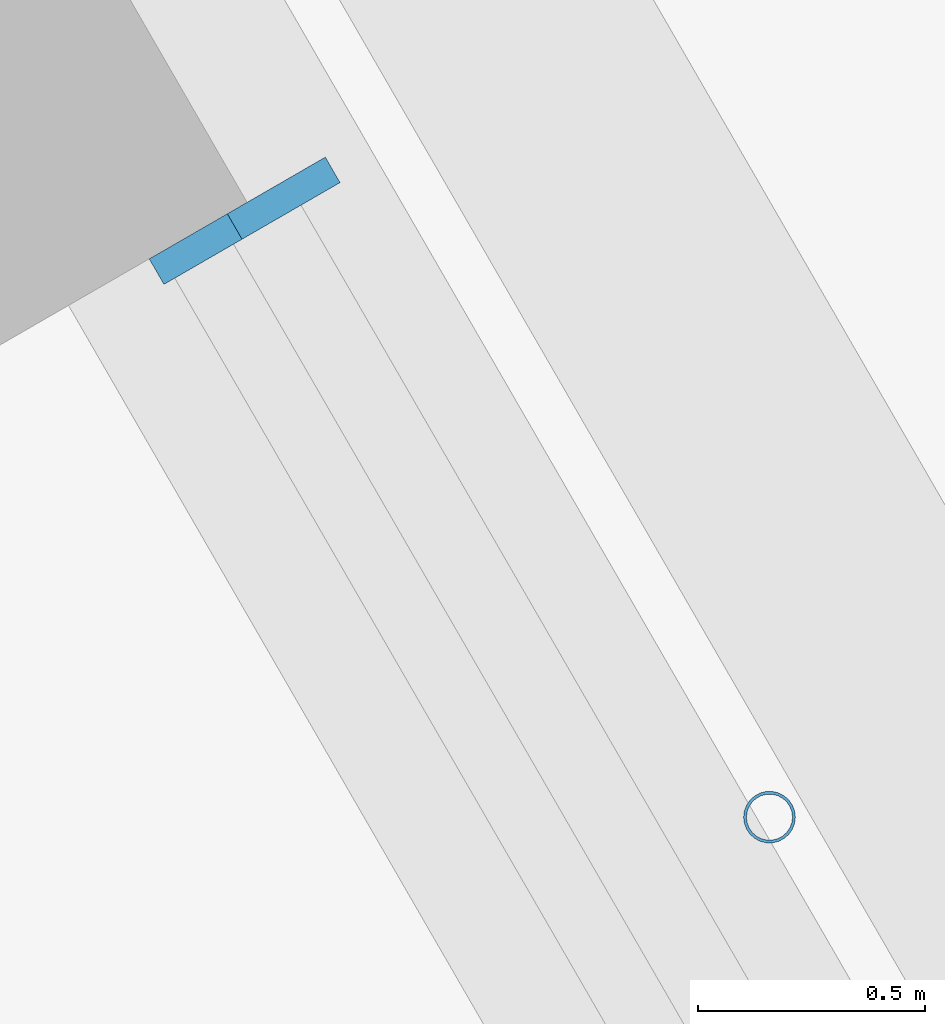
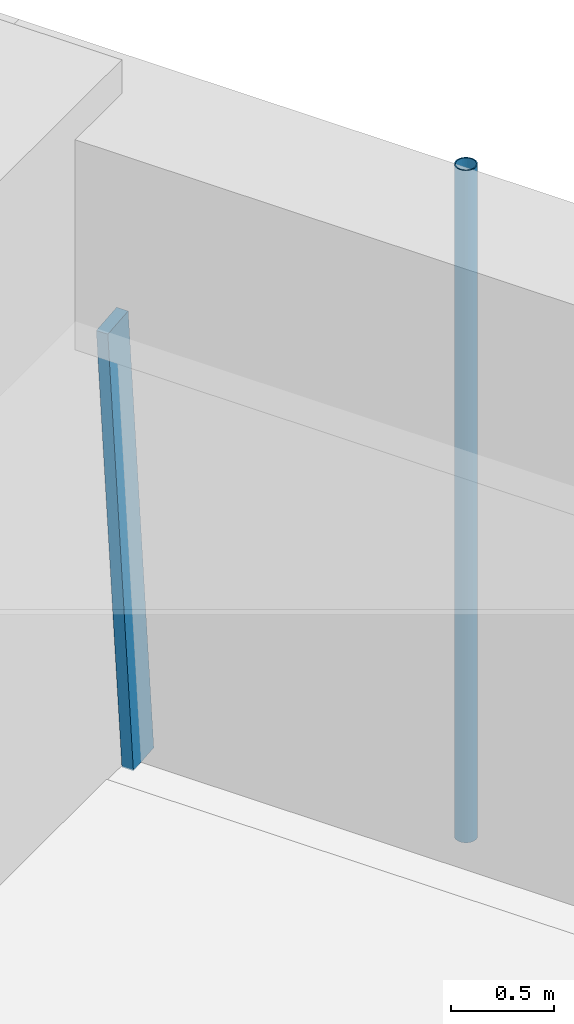
# One storey, part 15 of 24: 2 members, 1 element without a shape of its own.
"""IFC4 building model written with IfcOpenShell, lengths in metres."""

from ifc_helpers import new_model, si_unit, direction, frame, origin, origin_2d, place, context, subcontext, project, spatial, rectangle, hollow_circle, extrude, material, material_profile, profile_set, type_object, element, aggregate, save


model = new_model("IFC4")

# Units and contexts
model_context = context("Model", 3, precision=1e-05, world=origin(), true_north=direction((0.0, 1.0)))
body_context = subcontext(model_context, "Body", "Model", "MODEL_VIEW")
ifc_project = project(units=[si_unit("LENGTHUNIT", "METRE"), si_unit("AREAUNIT", "SQUARE_METRE"), si_unit("VOLUMEUNIT", "CUBIC_METRE"), si_unit("PLANEANGLEUNIT", "RADIAN"), si_unit("MASSUNIT", "GRAM", prefix="KILO")], contexts=[model_context])

# Site, building, storey
site_placement = place(None, origin())
site = spatial("IfcSite", under=ifc_project, at=site_placement, CompositionType="ELEMENT")
building_placement = place(site_placement, origin())
building = spatial("IfcBuilding", under=site, at=building_placement, Name="Tarfa Lantern Tower", CompositionType="ELEMENT")
storey_placement = place(building_placement, frame((0.0, 0.0, 186.699951171875)))
storey = spatial("IfcBuildingStorey", under=building, at=storey_placement, Name="L42", CompositionType="ELEMENT", Elevation=186.699951171875)

# Curtain wall, member
ifc_material_1 = material(Name="Aluminium framed curtain wall", Category="aluminium")
curtain_wall_type = type_object("IfcCurtainWallType", Name="CW2 CANTED GLAZING MID ZONE 2750", PredefinedType="USERDEFINED", material=ifc_material_1)
curtain_wall_placement = place(storey_placement, origin())
curtain_wall = element("IfcCurtainWall", 1, at=curtain_wall_placement, inside=storey, type_object=curtain_wall_type, Name="CW2 NE L42", ObjectType="CURTAIN WALL", PredefinedType="USERDEFINED")
ifc_material_2 = material(Name="Aluminium mullion", Category="aluminium")
ifc_material_profile_1 = material_profile(ifc_material_2, rectangle(XDim=0.06494140625, YDim=0.199951171875, at=origin_2d()), Name="AL MULLION 65x200")
ifc_profile_set_1 = profile_set([ifc_material_profile_1], Name="Aluminium mullion")
member_type_1 = type_object("IfcMemberType", Name="CWM1 MULLION 65x200", PredefinedType="MULLION", material=ifc_profile_set_1)
member_1_placement = place(storey_placement, frame((30.086181640625, 10.68896484375, 0.0), z_axis=(-0.078335079308, -0.045268127094, 0.995898796073), x_axis=(0.500342721131, -0.865827443207, 0.0)))
member_1 = element("IfcMember", 2, at=member_1_placement, type_object=member_type_1, Name="CW2 mullion 2", PredefinedType="MULLION", context=body_context, shape_type="SweptSolid", body=[
    extrude(rectangle(XDim=0.06494140625, YDim=0.199951171875, at=origin_2d()), origin(), (0.0, 0.0, 1.0), 2.76123046875),
])
aggregate(curtain_wall, [member_1])

# Member
ifc_material_3 = material(Name="Steel S355", Category="steel")
ifc_material_profile_2 = material_profile(ifc_material_3, hollow_circle(Radius=0.05712890625, WallThickness=0.00634765625, at=origin_2d()), Name="CHS114.3x6.3")
ifc_profile_set_2 = profile_set([ifc_material_profile_2], Name="Steel S355")
member_type_2 = type_object("IfcMemberType", Name="TR1 GREEN WALL TRELLIS CHS114.3x6.3", PredefinedType="USERDEFINED", material=ifc_profile_set_2)
member_2_placement = place(storey_placement, frame((31.136474609375, 9.31005859375, 0.0), z_axis=(0.0, 0.0, 1.0), x_axis=(1.0, 0.0, 0.0)))
element("IfcMember", 3, at=member_2_placement, inside=storey, type_object=member_type_2, Name="Trellis post NE 1", ObjectType="TRELLIS", PredefinedType="USERDEFINED", context=body_context, shape_type="SweptSolid", body=[
    extrude(hollow_circle(Radius=0.05712890625, WallThickness=0.00634765625, at=origin_2d()), origin(), (0.0, 0.0, 1.0), 4.0),
])

save(model, "model.ifc")
